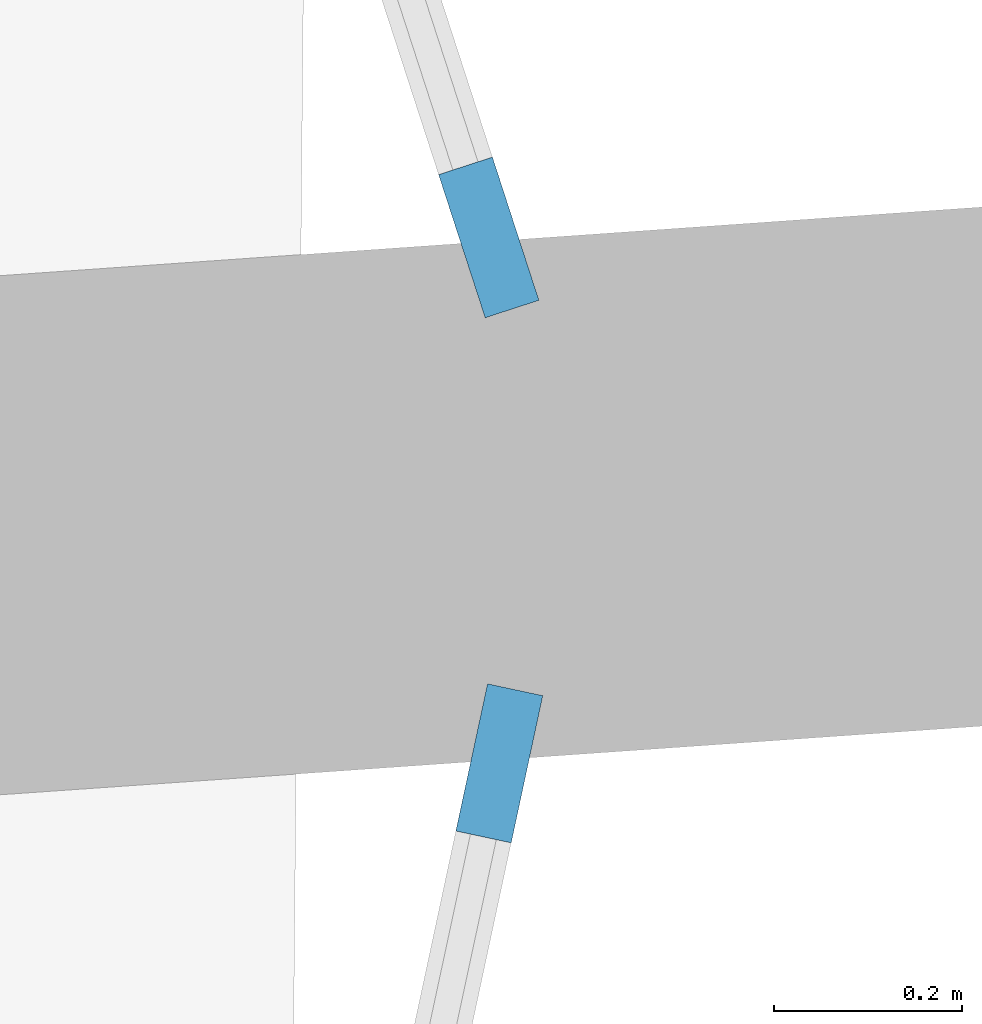
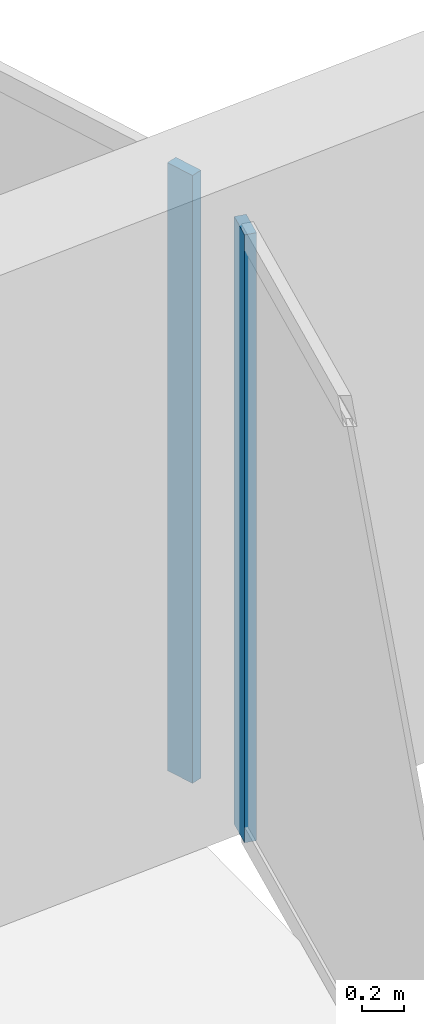
# One storey, part 17 of 31: 2 members, 2 elements without a shape of their own.
"""IFC4 building model written with IfcOpenShell, lengths in metres."""

from ifc_helpers import new_model, si_unit, direction, frame, origin, origin_2d, place, context, subcontext, project, spatial, rectangle, extrude, material, layer, layer_set, material_profile, profile_set, type_object, element, aggregate, save


model = new_model("IFC4")

# Units and contexts
model_context = context("Model", 3, precision=1e-05, world=origin(), true_north=direction((0.0, 1.0)))
body_context = subcontext(model_context, "Body", "Model", "MODEL_VIEW")
ifc_project = project(units=[si_unit("LENGTHUNIT", "METRE"), si_unit("AREAUNIT", "SQUARE_METRE"), si_unit("VOLUMEUNIT", "CUBIC_METRE"), si_unit("PLANEANGLEUNIT", "RADIAN"), si_unit("MASSUNIT", "GRAM", prefix="KILO")], contexts=[model_context])

# Site, building, storey
site_placement = place(None, origin())
site = spatial("IfcSite", under=ifc_project, at=site_placement, CompositionType="ELEMENT")
building_placement = place(site_placement, origin())
building = spatial("IfcBuilding", under=site, at=building_placement, Name="Kazma Halo Residences", CompositionType="ELEMENT")
storey_placement = place(building_placement, frame((0.0, 0.0, 30.14990234375)))
storey = spatial("IfcBuildingStorey", under=building, at=storey_placement, Name="L06", CompositionType="ELEMENT", Elevation=30.14990234375)

# Curtain wall, member
ifc_material_1 = material(Name="Aluminium AW-6063 T6 and Triple-Silver Low-E Glass", Category="aluminium")
ifc_layer = layer(ifc_material_1, 0.159912109375)
ifc_layer_set = layer_set([ifc_layer], Name="Aluminium AW-6063 T6 and Triple-Silver Low-E Glass")
curtain_wall_type = type_object("IfcCurtainWallType", Name="CW-SYS-2", PredefinedType="NOTDEFINED", material=ifc_layer_set)
curtain_wall_1_placement = place(storey_placement, origin())
curtain_wall_1 = element("IfcCurtainWall", 1, at=curtain_wall_1_placement, inside=storey, type_object=curtain_wall_type, Name="L06 unitised curtain wall B15", PredefinedType="NOTDEFINED")
ifc_material_2 = material(Name="Aluminium AW-6063 T6", Category="aluminium")
ifc_material_profile = material_profile(ifc_material_2, rectangle(XDim=0.06005859375, YDim=0.159912109375, at=origin_2d()), Name="CWM-60x160")
ifc_profile_set = profile_set([ifc_material_profile], Name="Aluminium AW-6063 T6")
member_type = type_object("IfcMemberType", Name="CW-SYS-2-MUL", PredefinedType="MULLION", material=ifc_profile_set)
member_1_placement = place(storey_placement, frame((79.74951171875, 43.940673828125, 0.0), z_axis=(0.0, 0.0, 1.0), x_axis=(-0.977779215096, 0.209637321406, 0.0)))
member_1 = element("IfcMember", 2, at=member_1_placement, type_object=member_type, Name="CWS-2 mullion 4", PredefinedType="MULLION", context=body_context, shape_type="SweptSolid", body=[
    extrude(rectangle(XDim=0.06005859375, YDim=0.159912109375, at=origin_2d()), origin(), (0.0, 0.0, 1.0), 3.5),
])
aggregate(curtain_wall_1, [member_1])

curtain_wall_2_placement = place(storey_placement, origin())
curtain_wall_2 = element("IfcCurtainWall", 3, at=curtain_wall_2_placement, inside=storey, type_object=curtain_wall_type, Name="L06 unitised curtain wall B16", PredefinedType="NOTDEFINED")
member_2_placement = place(storey_placement, frame((79.73828125, 44.499267578125, 0.0), z_axis=(0.0, 0.0, 1.0), x_axis=(-0.95105652404, -0.309016970539, 0.0)))
member_2 = element("IfcMember", 4, at=member_2_placement, type_object=member_type, Name="CWS-2 mullion 1", PredefinedType="MULLION", context=body_context, shape_type="SweptSolid", body=[
    extrude(rectangle(XDim=0.06005859375, YDim=0.159912109375, at=origin_2d()), origin(), (0.0, 0.0, 1.0), 3.5),
])
aggregate(curtain_wall_2, [member_2])

save(model, "model.ifc")
